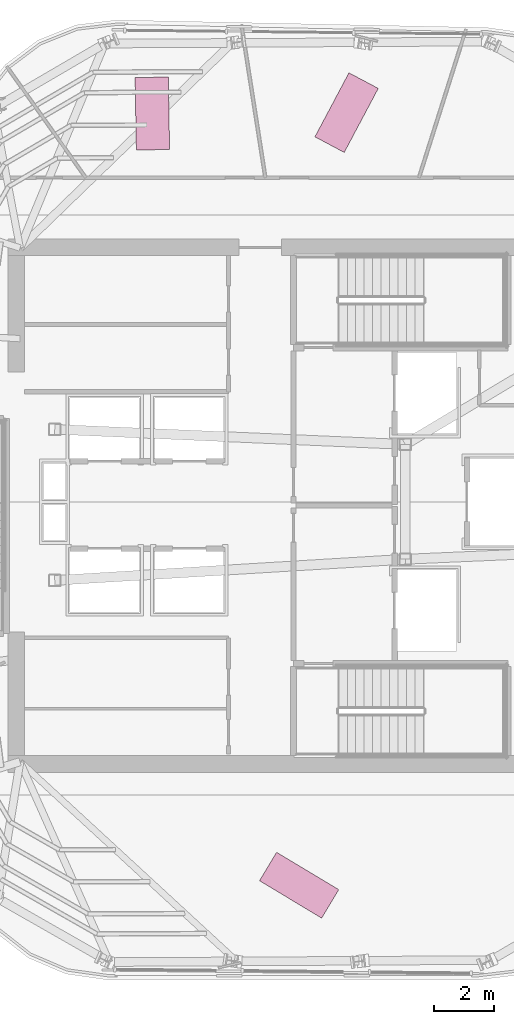
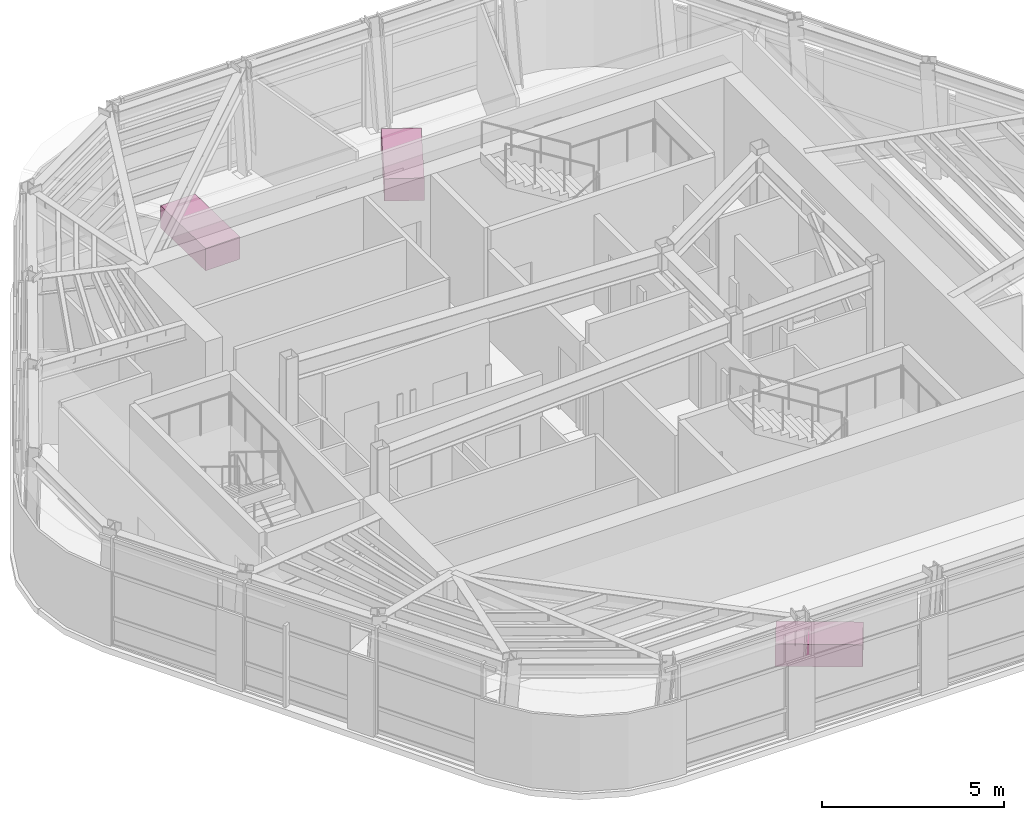
# One storey, part 13 of 13: 3 furniture elements.
"""IFC4 building model written with IfcOpenShell, lengths in metres."""

import ifcopenshell
import ifcopenshell.guid

model = None  # the IFC model being written
_history = None  # IfcOwnerHistory: only IFC2X3 demands one
_inside = {}  # id of a spatial element -> (the spatial element, [elements in it])
_under = {}  # id of a project, library or spatial element -> (it, [spatial elements below it])
_declared = {}  # id of a project -> (the project, [libraries it declares])
_typed = {}  # id of a type object -> (the type object, [elements of that type])
_made_of = {}  # id of a material, layer set ... -> (it, [elements and type objects made of it])


def new_model(schema):
    """Start an empty IFC model of exactly this schema.

    Asked for "IFC4X3", IfcOpenShell would pick the latest addendum, in which some entities
    have other attributes; the version numbers below select the first issue.
    IFC2X3 requires an IfcOwnerHistory on every rooted entity: one is made here for all.
    """
    global model, _history
    if schema == "IFC4X3":
        model = ifcopenshell.file(schema_version=(4, 3, 0, 0))
    else:
        model = ifcopenshell.file(schema=schema)
    _inside.clear()
    _under.clear()
    _declared.clear()
    _typed.clear()
    _made_of.clear()
    _history = None
    if model.schema == "IFC2X3":
        org = make("IfcOrganization", Name="unknown")
        user = make(
            "IfcPersonAndOrganization",
            ThePerson=make("IfcPerson", FamilyName="unknown"),
            TheOrganization=org,
        )
        app = make(
            "IfcApplication",
            ApplicationDeveloper=org,
            Version="unknown",
            ApplicationFullName="unknown",
            ApplicationIdentifier="unknown",
        )
        _history = make(
            "IfcOwnerHistory",
            OwningUser=user,
            OwningApplication=app,
            ChangeAction="ADDED",
            CreationDate=0,
        )
    return model


def make(cls, **values):
    """One entity of the class cls with the attributes given. An attribute that is None is left unset."""
    return model.create_entity(
        cls, **{name: value for name, value in values.items() if value is not None}
    )


def rooted(cls, **values):
    """An entity with a GlobalId (a new one), such as an element, a storey or a relation."""
    return make(cls, GlobalId=ifcopenshell.guid.new(), OwnerHistory=_history, **values)


def si_unit(unit_type, name, prefix=None):
    """IfcSIUnit, for example si_unit("LENGTHUNIT", "METRE", prefix="MILLI")."""
    return make("IfcSIUnit", UnitType=unit_type, Prefix=prefix, Name=name)


def assignment(units):
    """IfcUnitAssignment: the units of a project."""
    return None if units is None else make("IfcUnitAssignment", Units=units)


def point(xyz):
    """IfcCartesianPoint."""
    return None if xyz is None else make("IfcCartesianPoint", Coordinates=xyz)


def direction(xyz):
    """IfcDirection."""
    return None if xyz is None else make("IfcDirection", DirectionRatios=xyz)


def frame(location, z_axis=None, x_axis=None):
    """IfcAxis2Placement3D, a coordinate frame: its origin and axes. An axis left out is left unset."""
    return make(
        "IfcAxis2Placement3D",
        Location=point(location),
        Axis=direction(z_axis),
        RefDirection=direction(x_axis),
    )


def frame_2d(location, x_axis=None):
    """IfcAxis2Placement2D, a coordinate frame in the plane: its origin and x axis."""
    return make(
        "IfcAxis2Placement2D", Location=point(location), RefDirection=direction(x_axis)
    )


def origin():
    """The frame at (0, 0, 0) with its axes left unset."""
    return frame((0.0, 0.0, 0.0))


def origin_2d():
    """The frame at (0, 0) in the plane with its x axis left unset."""
    return frame_2d((0.0, 0.0))


def place(relative_to, where):
    """IfcLocalPlacement: puts the frame where relative to a parent placement (None: the world)."""
    return make(
        "IfcLocalPlacement", PlacementRelTo=relative_to, RelativePlacement=where
    )


def context(
    kind, dimensions, precision=None, world=None, true_north=None, identifier=None
):
    """IfcGeometricRepresentationContext, for example the 3D "Model" context."""
    return make(
        "IfcGeometricRepresentationContext",
        ContextIdentifier=identifier,
        ContextType=kind,
        CoordinateSpaceDimension=dimensions,
        Precision=precision,
        WorldCoordinateSystem=world,
        TrueNorth=true_north,
    )


def subcontext(parent, identifier, kind, view, scale=None):
    """IfcGeometricRepresentationSubContext, for example "Body" below "Model"."""
    return make(
        "IfcGeometricRepresentationSubContext",
        ContextIdentifier=identifier,
        ContextType=kind,
        ParentContext=parent,
        TargetScale=scale,
        TargetView=view,
    )


def project(units=None, contexts=None):
    """IfcProject with its units and contexts."""
    return rooted(
        "IfcProject",
        Name="project",
        RepresentationContexts=contexts,
        UnitsInContext=assignment(units),
    )


def spatial(cls, under=None, at=None, **own):
    """A site, building, storey or space (cls), placed at a placement, below another one or the project."""
    s = rooted(cls, ObjectPlacement=at, **own)
    if under is not None:
        _under.setdefault(under.id(), (under, []))[1].append(s)
    return s


def profile(cls, at=None, kind="AREA", **sizes):
    """A parametric profile (cls). Its sizes go by their IFC names, for example OverallWidth=200.0."""
    return make(cls, ProfileType=kind, Position=at, **sizes)


def rectangle(**sizes):
    """IfcRectangleProfileDef."""
    return profile("IfcRectangleProfileDef", **sizes)


def extrude(swept, where, along, depth):
    """IfcExtrudedAreaSolid: the profile swept, set in the frame where, extruded along a direction by depth."""
    return make(
        "IfcExtrudedAreaSolid",
        SweptArea=swept,
        Position=where,
        ExtrudedDirection=direction(along),
        Depth=depth,
    )


def shape(context_of_items, identifier, shape_type, items):
    """IfcShapeRepresentation: the items that make up one representation, for example the "Body"."""
    return make(
        "IfcShapeRepresentation",
        ContextOfItems=context_of_items,
        RepresentationIdentifier=identifier,
        RepresentationType=shape_type,
        Items=items,
    )


def material(Name=None, Category=None):
    """IfcMaterial."""
    return make("IfcMaterial", Name=Name, Category=Category)


def made_of(thing, what):
    """Note that an element or type object is made of a material, layer set ...; save() writes the relation."""
    if what is not None:
        _made_of.setdefault(what.id(), (what, []))[1].append(thing)
    return thing


def type_object(cls, material=None, **own):
    """A type object (cls), such as IfcWallType, which elements share."""
    return made_of(rooted(cls, **own), material)


def element(
    cls,
    number,
    at=None,
    inside=None,
    cuts=None,
    type_object=None,
    material=None,
    context=None,
    identifier="Body",
    shape_type=None,
    held_by="IfcProductDefinitionShape",
    body=None,
    shapes=None,
    **own,
):
    """One element of the class cls, such as IfcWall. Its Tag is "e" and its number.

    at: its placement. inside: the storey or other place that contains it. cuts: it is an
    opening in that element (IfcRelVoidsElement). A single representation is given by context,
    identifier, shape_type and body (its items); several are given by shapes. held_by: the class
    of the entity that holds the representations. save() writes the other relations.
    """
    e = rooted(cls, Tag="e%d" % number, ObjectPlacement=at, **own)
    if body is not None:
        shapes = [shape(context, identifier, shape_type, body)]
    if shapes is not None:
        e.Representation = make(held_by, Representations=shapes)
    if inside is not None:
        _inside.setdefault(inside.id(), (inside, []))[1].append(e)
    if cuts is not None:
        rooted(
            "IfcRelVoidsElement", RelatingBuildingElement=cuts, RelatedOpeningElement=e
        )
    if type_object is not None:
        _typed.setdefault(type_object.id(), (type_object, []))[1].append(e)
    return made_of(e, material)


def aggregate(whole, parts):
    """IfcRelAggregates: a whole, such as a stair, and the parts it consists of."""
    return rooted("IfcRelAggregates", RelatingObject=whole, RelatedObjects=parts)


def save(model, path):
    """Write the relations noted so far, then the file.

    IfcRelAggregates (storeys below a building ...), IfcRelContainedInSpatialStructure (elements
    in a storey), IfcRelDefinesByType, IfcRelAssociatesMaterial and IfcRelDeclares: one each for
    every whole, place, type object, material and project.
    """
    for whole, parts in _under.values():
        aggregate(whole, parts)
    for where, things in _inside.values():
        rooted(
            "IfcRelContainedInSpatialStructure",
            RelatedElements=things,
            RelatingStructure=where,
        )
    for kind, things in _typed.values():
        rooted("IfcRelDefinesByType", RelatedObjects=things, RelatingType=kind)
    for what, things in _made_of.values():
        rooted("IfcRelAssociatesMaterial", RelatedObjects=things, RelatingMaterial=what)
    for by, libraries in _declared.values():
        rooted("IfcRelDeclares", RelatingContext=by, RelatedDefinitions=libraries)
    model.write(path)


model = new_model("IFC4")

# Units and contexts
model_context = context("Model", 3, precision=1e-05, world=origin(), true_north=direction((0.0, 1.0)))
body_context = subcontext(model_context, "Body", "Model", "MODEL_VIEW")
ifc_project = project(units=[si_unit("LENGTHUNIT", "METRE"), si_unit("AREAUNIT", "SQUARE_METRE"), si_unit("VOLUMEUNIT", "CUBIC_METRE"), si_unit("PLANEANGLEUNIT", "RADIAN"), si_unit("MASSUNIT", "GRAM", prefix="KILO")], contexts=[model_context])

# Site, building, storey
site_placement = place(None, origin())
site = spatial("IfcSite", under=ifc_project, at=site_placement, CompositionType="ELEMENT")
building_placement = place(site_placement, origin())
building = spatial("IfcBuilding", under=site, at=building_placement, Name="Valkerne Bourse Tower", CompositionType="ELEMENT")
storey_placement = place(building_placement, frame((0.0, 0.0, 281.199951171875)))
storey = spatial("IfcBuildingStorey", under=building, at=storey_placement, Name="L71", CompositionType="ELEMENT", Elevation=281.199951171875)

# Furniture
ifc_material = material(Name="Architectural White Oak Timber", Category="wood")
furniture_type = type_object("IfcFurnitureType", Name="FURN-DESK-2400", AssemblyPlace="NOTDEFINED", PredefinedType="DESK", material=ifc_material)
for number, where, z_axis, x_axis, name in (
    (1, (48.407958984375, 39.881103515625, 0.045166015625), (0.0, 0.0, 1.0), (0.469471562786, 0.882947592859, 0.0), "L71 Suite Worktable 05"),
    (2, (41.97900390625, 39.85107421875, 0.045166015625), (0.0, 0.0, 1.0), (-0.017452406437, 0.999847695156, 0.0), "L71 Suite Worktable 06"),
    (3, (46.8369140625, 14.31298828125, 0.045166015625), (0.0, 0.0, 1.0), (-0.857167300702, 0.51503807491, 0.0), "L71 Suite Worktable 08"),
):
    element("IfcFurniture", number, at=place(storey_placement, frame(where, z_axis=z_axis, x_axis=x_axis)), inside=storey, type_object=furniture_type, Name=name, PredefinedType="DESK", context=body_context, shape_type="SweptSolid", body=[
        extrude(rectangle(XDim=2.39990234375, YDim=1.10009765625, at=origin_2d()), origin(), (0.0, 0.0, 1.0), 0.75),
    ])

save(model, "model.ifc")
